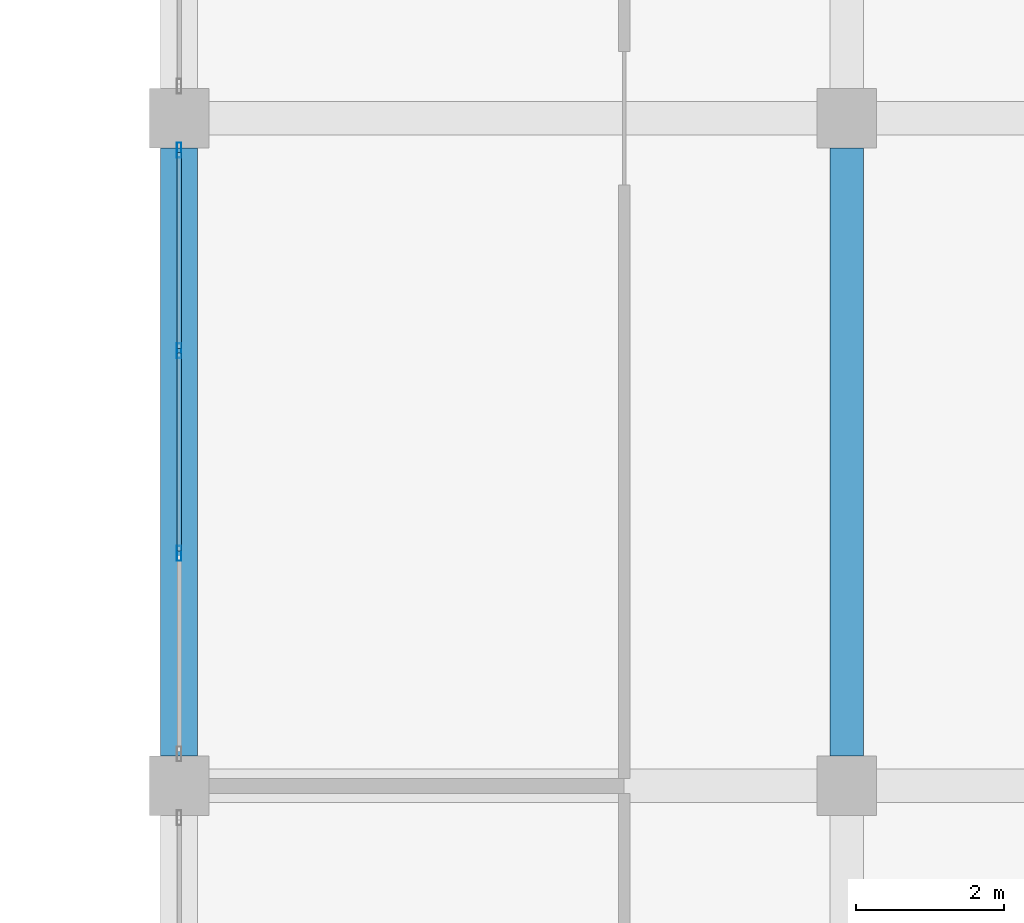
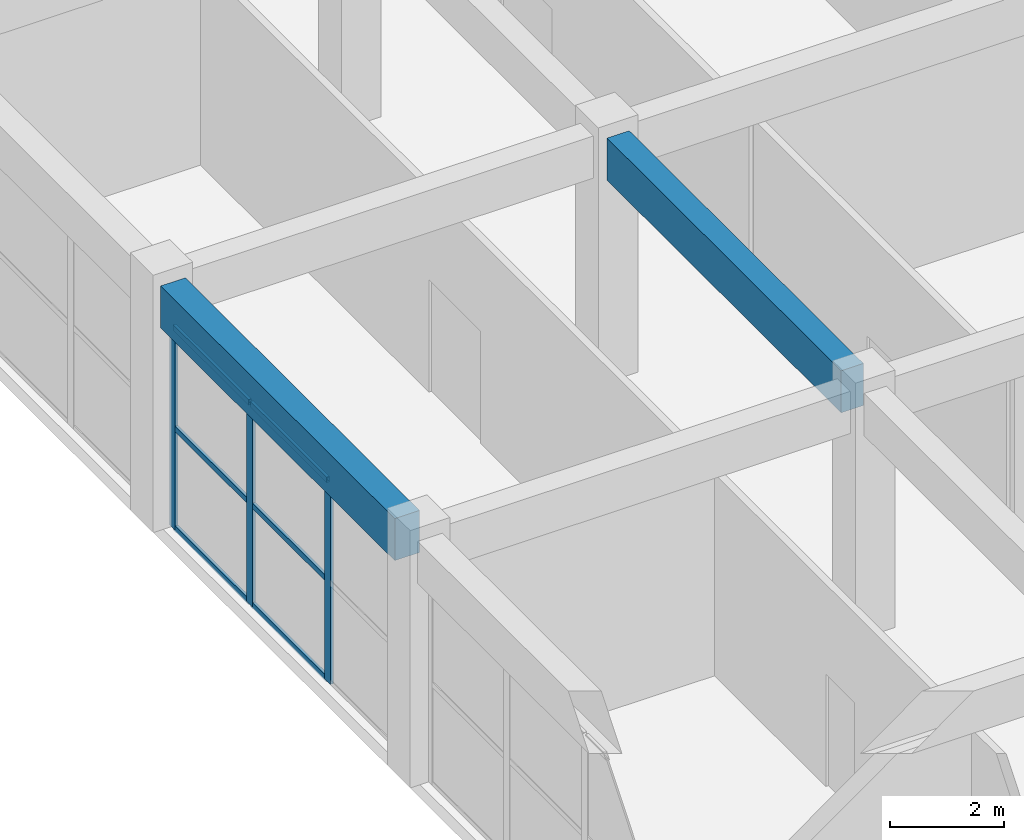
# One storey, part 208 of 437: 9 members, 2 beams, 1 element without a shape of its own.
"""IFC4 building model written with IfcOpenShell, lengths in metres."""

import ifcopenshell
import ifcopenshell.guid

model = None  # the IFC model being written
_history = None  # IfcOwnerHistory: only IFC2X3 demands one
_inside = {}  # id of a spatial element -> (the spatial element, [elements in it])
_under = {}  # id of a project, library or spatial element -> (it, [spatial elements below it])
_declared = {}  # id of a project -> (the project, [libraries it declares])
_typed = {}  # id of a type object -> (the type object, [elements of that type])
_made_of = {}  # id of a material, layer set ... -> (it, [elements and type objects made of it])


def new_model(schema):
    """Start an empty IFC model of exactly this schema.

    Asked for "IFC4X3", IfcOpenShell would pick the latest addendum, in which some entities
    have other attributes; the version numbers below select the first issue.
    IFC2X3 requires an IfcOwnerHistory on every rooted entity: one is made here for all.
    """
    global model, _history
    if schema == "IFC4X3":
        model = ifcopenshell.file(schema_version=(4, 3, 0, 0))
    else:
        model = ifcopenshell.file(schema=schema)
    _inside.clear()
    _under.clear()
    _declared.clear()
    _typed.clear()
    _made_of.clear()
    _history = None
    if model.schema == "IFC2X3":
        org = make("IfcOrganization", Name="unknown")
        user = make(
            "IfcPersonAndOrganization",
            ThePerson=make("IfcPerson", FamilyName="unknown"),
            TheOrganization=org,
        )
        app = make(
            "IfcApplication",
            ApplicationDeveloper=org,
            Version="unknown",
            ApplicationFullName="unknown",
            ApplicationIdentifier="unknown",
        )
        _history = make(
            "IfcOwnerHistory",
            OwningUser=user,
            OwningApplication=app,
            ChangeAction="ADDED",
            CreationDate=0,
        )
    return model


def make(cls, **values):
    """One entity of the class cls with the attributes given. An attribute that is None is left unset."""
    return model.create_entity(
        cls, **{name: value for name, value in values.items() if value is not None}
    )


def rooted(cls, **values):
    """An entity with a GlobalId (a new one), such as an element, a storey or a relation."""
    return make(cls, GlobalId=ifcopenshell.guid.new(), OwnerHistory=_history, **values)


def si_unit(unit_type, name, prefix=None):
    """IfcSIUnit, for example si_unit("LENGTHUNIT", "METRE", prefix="MILLI")."""
    return make("IfcSIUnit", UnitType=unit_type, Prefix=prefix, Name=name)


def assignment(units):
    """IfcUnitAssignment: the units of a project."""
    return None if units is None else make("IfcUnitAssignment", Units=units)


def point(xyz):
    """IfcCartesianPoint."""
    return None if xyz is None else make("IfcCartesianPoint", Coordinates=xyz)


def direction(xyz):
    """IfcDirection."""
    return None if xyz is None else make("IfcDirection", DirectionRatios=xyz)


def frame(location, z_axis=None, x_axis=None):
    """IfcAxis2Placement3D, a coordinate frame: its origin and axes. An axis left out is left unset."""
    return make(
        "IfcAxis2Placement3D",
        Location=point(location),
        Axis=direction(z_axis),
        RefDirection=direction(x_axis),
    )


def frame_2d(location, x_axis=None):
    """IfcAxis2Placement2D, a coordinate frame in the plane: its origin and x axis."""
    return make(
        "IfcAxis2Placement2D", Location=point(location), RefDirection=direction(x_axis)
    )


def origin():
    """The frame at (0, 0, 0) with its axes left unset."""
    return frame((0.0, 0.0, 0.0))


def origin_2d():
    """The frame at (0, 0) in the plane with its x axis left unset."""
    return frame_2d((0.0, 0.0))


def place(relative_to, where):
    """IfcLocalPlacement: puts the frame where relative to a parent placement (None: the world)."""
    return make(
        "IfcLocalPlacement", PlacementRelTo=relative_to, RelativePlacement=where
    )


def context(
    kind, dimensions, precision=None, world=None, true_north=None, identifier=None
):
    """IfcGeometricRepresentationContext, for example the 3D "Model" context."""
    return make(
        "IfcGeometricRepresentationContext",
        ContextIdentifier=identifier,
        ContextType=kind,
        CoordinateSpaceDimension=dimensions,
        Precision=precision,
        WorldCoordinateSystem=world,
        TrueNorth=true_north,
    )


def subcontext(parent, identifier, kind, view, scale=None):
    """IfcGeometricRepresentationSubContext, for example "Body" below "Model"."""
    return make(
        "IfcGeometricRepresentationSubContext",
        ContextIdentifier=identifier,
        ContextType=kind,
        ParentContext=parent,
        TargetScale=scale,
        TargetView=view,
    )


def project(units=None, contexts=None):
    """IfcProject with its units and contexts."""
    return rooted(
        "IfcProject",
        Name="project",
        RepresentationContexts=contexts,
        UnitsInContext=assignment(units),
    )


def spatial(cls, under=None, at=None, **own):
    """A site, building, storey or space (cls), placed at a placement, below another one or the project."""
    s = rooted(cls, ObjectPlacement=at, **own)
    if under is not None:
        _under.setdefault(under.id(), (under, []))[1].append(s)
    return s


def profile(cls, at=None, kind="AREA", **sizes):
    """A parametric profile (cls). Its sizes go by their IFC names, for example OverallWidth=200.0."""
    return make(cls, ProfileType=kind, Position=at, **sizes)


def rectangle(**sizes):
    """IfcRectangleProfileDef."""
    return profile("IfcRectangleProfileDef", **sizes)


def hollow_rectangle(**sizes):
    """IfcRectangleHollowProfileDef."""
    return profile("IfcRectangleHollowProfileDef", **sizes)


def extrude(swept, where, along, depth):
    """IfcExtrudedAreaSolid: the profile swept, set in the frame where, extruded along a direction by depth."""
    return make(
        "IfcExtrudedAreaSolid",
        SweptArea=swept,
        Position=where,
        ExtrudedDirection=direction(along),
        Depth=depth,
    )


def shape(context_of_items, identifier, shape_type, items):
    """IfcShapeRepresentation: the items that make up one representation, for example the "Body"."""
    return make(
        "IfcShapeRepresentation",
        ContextOfItems=context_of_items,
        RepresentationIdentifier=identifier,
        RepresentationType=shape_type,
        Items=items,
    )


def material(Name=None, Category=None):
    """IfcMaterial."""
    return make("IfcMaterial", Name=Name, Category=Category)


def layer(
    of_material, thickness, ventilated=None, Name=None, Category=None, Priority=None
):
    """IfcMaterialLayer: one layer of a wall or slab, of a material (None: an air gap)."""
    return make(
        "IfcMaterialLayer",
        Material=of_material,
        LayerThickness=thickness,
        IsVentilated=ventilated,
        Name=Name,
        Category=Category,
        Priority=Priority,
    )


def layer_set(layers, Name=None):
    """IfcMaterialLayerSet."""
    return make("IfcMaterialLayerSet", MaterialLayers=layers, LayerSetName=Name)


def material_profile(
    of_material, cross_section, Name=None, Category=None, Priority=None
):
    """IfcMaterialProfile: a cross section and its material."""
    return make(
        "IfcMaterialProfile",
        Name=Name,
        Material=of_material,
        Profile=cross_section,
        Priority=Priority,
        Category=Category,
    )


def profile_set(profiles, Name=None, composite=None):
    """IfcMaterialProfileSet."""
    return make(
        "IfcMaterialProfileSet",
        Name=Name,
        MaterialProfiles=profiles,
        CompositeProfile=composite,
    )


def made_of(thing, what):
    """Note that an element or type object is made of a material, layer set ...; save() writes the relation."""
    if what is not None:
        _made_of.setdefault(what.id(), (what, []))[1].append(thing)
    return thing


def type_object(cls, material=None, **own):
    """A type object (cls), such as IfcWallType, which elements share."""
    return made_of(rooted(cls, **own), material)


def element(
    cls,
    number,
    at=None,
    inside=None,
    cuts=None,
    type_object=None,
    material=None,
    context=None,
    identifier="Body",
    shape_type=None,
    held_by="IfcProductDefinitionShape",
    body=None,
    shapes=None,
    **own,
):
    """One element of the class cls, such as IfcWall. Its Tag is "e" and its number.

    at: its placement. inside: the storey or other place that contains it. cuts: it is an
    opening in that element (IfcRelVoidsElement). A single representation is given by context,
    identifier, shape_type and body (its items); several are given by shapes. held_by: the class
    of the entity that holds the representations. save() writes the other relations.
    """
    e = rooted(cls, Tag="e%d" % number, ObjectPlacement=at, **own)
    if body is not None:
        shapes = [shape(context, identifier, shape_type, body)]
    if shapes is not None:
        e.Representation = make(held_by, Representations=shapes)
    if inside is not None:
        _inside.setdefault(inside.id(), (inside, []))[1].append(e)
    if cuts is not None:
        rooted(
            "IfcRelVoidsElement", RelatingBuildingElement=cuts, RelatedOpeningElement=e
        )
    if type_object is not None:
        _typed.setdefault(type_object.id(), (type_object, []))[1].append(e)
    return made_of(e, material)


def aggregate(whole, parts):
    """IfcRelAggregates: a whole, such as a stair, and the parts it consists of."""
    return rooted("IfcRelAggregates", RelatingObject=whole, RelatedObjects=parts)


def save(model, path):
    """Write the relations noted so far, then the file.

    IfcRelAggregates (storeys below a building ...), IfcRelContainedInSpatialStructure (elements
    in a storey), IfcRelDefinesByType, IfcRelAssociatesMaterial and IfcRelDeclares: one each for
    every whole, place, type object, material and project.
    """
    for whole, parts in _under.values():
        aggregate(whole, parts)
    for where, things in _inside.values():
        rooted(
            "IfcRelContainedInSpatialStructure",
            RelatedElements=things,
            RelatingStructure=where,
        )
    for kind, things in _typed.values():
        rooted("IfcRelDefinesByType", RelatedObjects=things, RelatingType=kind)
    for what, things in _made_of.values():
        rooted("IfcRelAssociatesMaterial", RelatedObjects=things, RelatingMaterial=what)
    for by, libraries in _declared.values():
        rooted("IfcRelDeclares", RelatingContext=by, RelatedDefinitions=libraries)
    model.write(path)


model = new_model("IFC4")

# Units and contexts
model_context = context("Model", 3, precision=1e-05, world=origin(), true_north=direction((0.0, 1.0)))
body_context = subcontext(model_context, "Body", "Model", "MODEL_VIEW")
ifc_project = project(units=[si_unit("LENGTHUNIT", "METRE"), si_unit("AREAUNIT", "SQUARE_METRE"), si_unit("VOLUMEUNIT", "CUBIC_METRE"), si_unit("PLANEANGLEUNIT", "RADIAN"), si_unit("MASSUNIT", "GRAM", prefix="KILO")], contexts=[model_context])

# Site, building, storey
site_placement = place(None, origin())
site = spatial("IfcSite", under=ifc_project, at=site_placement, CompositionType="ELEMENT")
building_placement = place(site_placement, origin())
building = spatial("IfcBuilding", under=site, at=building_placement, Name="Opaline Strait Convention Centre", CompositionType="ELEMENT")
storey_placement = place(building_placement, frame((0.0, 0.0, 11.5)))
storey = spatial("IfcBuildingStorey", under=building, at=storey_placement, Name="L02", CompositionType="ELEMENT", Elevation=11.5)

# Curtain wall, members
ifc_material_1 = material(Name="Aluminium framed double glazing", Category="aluminium")
ifc_layer = layer(ifc_material_1, 0.199951171875)
ifc_layer_set = layer_set([ifc_layer], Name="Aluminium framed double glazing")
curtain_wall_type = type_object("IfcCurtainWallType", Name="Curtain wall 3000 module unitised", PredefinedType="NOTDEFINED", material=ifc_layer_set)
curtain_wall_placement = place(storey_placement, origin())
curtain_wall = element("IfcCurtainWall", 1, at=curtain_wall_placement, inside=storey, type_object=curtain_wall_type, Name="Curtain wall W L02 32/S", PredefinedType="NOTDEFINED")
ifc_material_2 = material(Name="Aluminium alloy 6063", Category="aluminium")
ifc_material_profile_1 = material_profile(ifc_material_2, hollow_rectangle(XDim=0.06005859375, YDim=0.199951171875, WallThickness=0.00390625, at=origin_2d()), Name="MULLION 60x200x4")
ifc_profile_set_1 = profile_set([ifc_material_profile_1], Name="Aluminium alloy 6063")
member_type_1 = type_object("IfcMemberType", Name="Curtain wall mullion 60 x 200", PredefinedType="MULLION", material=ifc_profile_set_1)
member_1_placement = place(storey_placement, frame((279.0, 147.13330078125, 0.0), z_axis=(0.0, 0.0, 1.0), x_axis=(-1.0, 0.0, 0.0)))
member_1 = element("IfcMember", 2, at=member_1_placement, type_object=member_type_1, Name="MCWR1 mullion 2", PredefinedType="MULLION", context=body_context, shape_type="SweptSolid", body=[
    extrude(hollow_rectangle(XDim=0.06005859375, YDim=0.199951171875, WallThickness=0.00390625, at=origin_2d()), origin(), (0.0, 0.0, 1.0), 4.320068359375),
])
member_2_placement = place(storey_placement, frame((279.0, 149.86669921875, 0.0), z_axis=(0.0, 0.0, 1.0), x_axis=(-1.0, 0.0, 0.0)))
member_2 = element("IfcMember", 3, at=member_2_placement, type_object=member_type_1, Name="MCWR1 mullion 3", PredefinedType="MULLION", context=body_context, shape_type="SweptSolid", body=[
    extrude(hollow_rectangle(XDim=0.06005859375, YDim=0.199951171875, WallThickness=0.00390625, at=origin_2d()), origin(), (0.0, 0.0, 1.0), 4.320068359375),
])
member_3_placement = place(storey_placement, frame((279.0, 152.570068359375, 0.0), z_axis=(0.0, 0.0, 1.0), x_axis=(-1.0, 0.0, 0.0)))
member_3 = element("IfcMember", 4, at=member_3_placement, type_object=member_type_1, Name="MCWR1 mullion 4", PredefinedType="MULLION", context=body_context, shape_type="SweptSolid", body=[
    extrude(hollow_rectangle(XDim=0.06005859375, YDim=0.199951171875, WallThickness=0.00390625, at=origin_2d()), origin(), (0.0, 0.0, 1.0), 4.320068359375),
])
ifc_material_profile_2 = material_profile(ifc_material_2, hollow_rectangle(XDim=0.06005859375, YDim=0.1201171875, WallThickness=0.0029296875, at=origin_2d()), Name="TRANSOM 60x120x3")
ifc_profile_set_2 = profile_set([ifc_material_profile_2], Name="Aluminium alloy 6063")
member_type_2 = type_object("IfcMemberType", Name="Curtain wall transom 60 x 120", PredefinedType="USERDEFINED", material=ifc_profile_set_2)
member_4_placement = place(storey_placement, frame((279.0, 147.163330078125, 0.030029296875), z_axis=(0.0, 1.0, 0.0), x_axis=(-1.0, 0.0, 0.0)))
member_4 = element("IfcMember", 5, at=member_4_placement, type_object=member_type_2, Name="MCWR1 transom 2.1", ObjectType="TRANSOM", PredefinedType="USERDEFINED", context=body_context, shape_type="SweptSolid", body=[
    extrude(hollow_rectangle(XDim=0.06005859375, YDim=0.1201171875, WallThickness=0.0029296875, at=origin_2d()), origin(), (0.0, 0.0, 1.0), 2.67333984375),
])
member_5_placement = place(storey_placement, frame((279.0, 147.163330078125, 2.159912109375), z_axis=(0.0, 1.0, 0.0), x_axis=(-1.0, 0.0, 0.0)))
member_5 = element("IfcMember", 6, at=member_5_placement, type_object=member_type_2, Name="MCWR1 transom 2.2", ObjectType="TRANSOM", PredefinedType="USERDEFINED", context=body_context, shape_type="SweptSolid", body=[
    extrude(hollow_rectangle(XDim=0.06005859375, YDim=0.1201171875, WallThickness=0.0029296875, at=origin_2d()), origin(), (0.0, 0.0, 1.0), 2.67333984375),
])
member_6_placement = place(storey_placement, frame((279.0, 147.163330078125, 4.2900390625), z_axis=(0.0, 1.0, 0.0), x_axis=(-1.0, 0.0, 0.0)))
member_6 = element("IfcMember", 7, at=member_6_placement, type_object=member_type_2, Name="MCWR1 transom 2.3", ObjectType="TRANSOM", PredefinedType="USERDEFINED", context=body_context, shape_type="SweptSolid", body=[
    extrude(hollow_rectangle(XDim=0.06005859375, YDim=0.1201171875, WallThickness=0.0029296875, at=origin_2d()), origin(), (0.0, 0.0, 1.0), 2.67333984375),
])
member_7_placement = place(storey_placement, frame((279.0, 149.896728515625, 0.030029296875), z_axis=(0.0, 1.0, 0.0), x_axis=(-1.0, 0.0, 0.0)))
member_7 = element("IfcMember", 8, at=member_7_placement, type_object=member_type_2, Name="MCWR1 transom 3.1", ObjectType="TRANSOM", PredefinedType="USERDEFINED", context=body_context, shape_type="SweptSolid", body=[
    extrude(hollow_rectangle(XDim=0.06005859375, YDim=0.1201171875, WallThickness=0.0029296875, at=origin_2d()), origin(), (0.0, 0.0, 1.0), 2.643310546875),
])
member_8_placement = place(storey_placement, frame((279.0, 149.896728515625, 2.159912109375), z_axis=(0.0, 1.0, 0.0), x_axis=(-1.0, 0.0, 0.0)))
member_8 = element("IfcMember", 9, at=member_8_placement, type_object=member_type_2, Name="MCWR1 transom 3.2", ObjectType="TRANSOM", PredefinedType="USERDEFINED", context=body_context, shape_type="SweptSolid", body=[
    extrude(hollow_rectangle(XDim=0.06005859375, YDim=0.1201171875, WallThickness=0.0029296875, at=origin_2d()), origin(), (0.0, 0.0, 1.0), 2.643310546875),
])
member_9_placement = place(storey_placement, frame((279.0, 149.896728515625, 4.2900390625), z_axis=(0.0, 1.0, 0.0), x_axis=(-1.0, 0.0, 0.0)))
member_9 = element("IfcMember", 10, at=member_9_placement, type_object=member_type_2, Name="MCWR1 transom 3.3", ObjectType="TRANSOM", PredefinedType="USERDEFINED", context=body_context, shape_type="SweptSolid", body=[
    extrude(hollow_rectangle(XDim=0.06005859375, YDim=0.1201171875, WallThickness=0.0029296875, at=origin_2d()), origin(), (0.0, 0.0, 1.0), 2.643310546875),
])
aggregate(curtain_wall, [member_1, member_2, member_3, member_4, member_5, member_6, member_7, member_8, member_9])

# Beams
ifc_material_3 = material(Name="Concrete C35", Category="concrete")
ifc_material_profile_3 = material_profile(ifc_material_3, rectangle(XDim=0.449951171875, YDim=0.89990234375, at=origin_2d()), Name="RC 450x900")
ifc_profile_set_3 = profile_set([ifc_material_profile_3], Name="Concrete C35")
beam_type_1 = type_object("IfcBeamType", Name="RC beam 450x900 C35", PredefinedType="BEAM", material=ifc_profile_set_3)
beam_1_placement = place(storey_placement, frame((288.0, 144.39990234375, 4.77001953125), z_axis=(0.0, 1.0, 0.0), x_axis=(-1.0, 0.0, 0.0)))
element("IfcBeam", 11, at=beam_1_placement, inside=storey, type_object=beam_type_1, Name="XB1 L02 33/S-33/T", PredefinedType="BEAM", context=body_context, shape_type="SweptSolid", body=[
    extrude(rectangle(XDim=0.449951171875, YDim=0.89990234375, at=origin_2d()), origin(), (0.0, 0.0, 1.0), 8.2001953125),
])
ifc_material_profile_4 = material_profile(ifc_material_3, rectangle(XDim=0.5, YDim=0.89990234375, at=origin_2d()), Name="RC 500x900")
ifc_profile_set_4 = profile_set([ifc_material_profile_4], Name="Concrete C35")
beam_type_2 = type_object("IfcBeamType", Name="RC edge beam 500x900 C35", PredefinedType="BEAM", material=ifc_profile_set_4)
beam_2_placement = place(storey_placement, frame((279.0, 144.39990234375, 4.77001953125), z_axis=(0.0, 1.0, 0.0), x_axis=(-1.0, 0.0, 0.0)))
element("IfcBeam", 12, at=beam_2_placement, inside=storey, type_object=beam_type_2, Name="MRB2 L02 32/S-32/T", PredefinedType="BEAM", context=body_context, shape_type="SweptSolid", body=[
    extrude(rectangle(XDim=0.5, YDim=0.89990234375, at=origin_2d()), origin(), (0.0, 0.0, 1.0), 8.2001953125),
])

save(model, "model.ifc")
